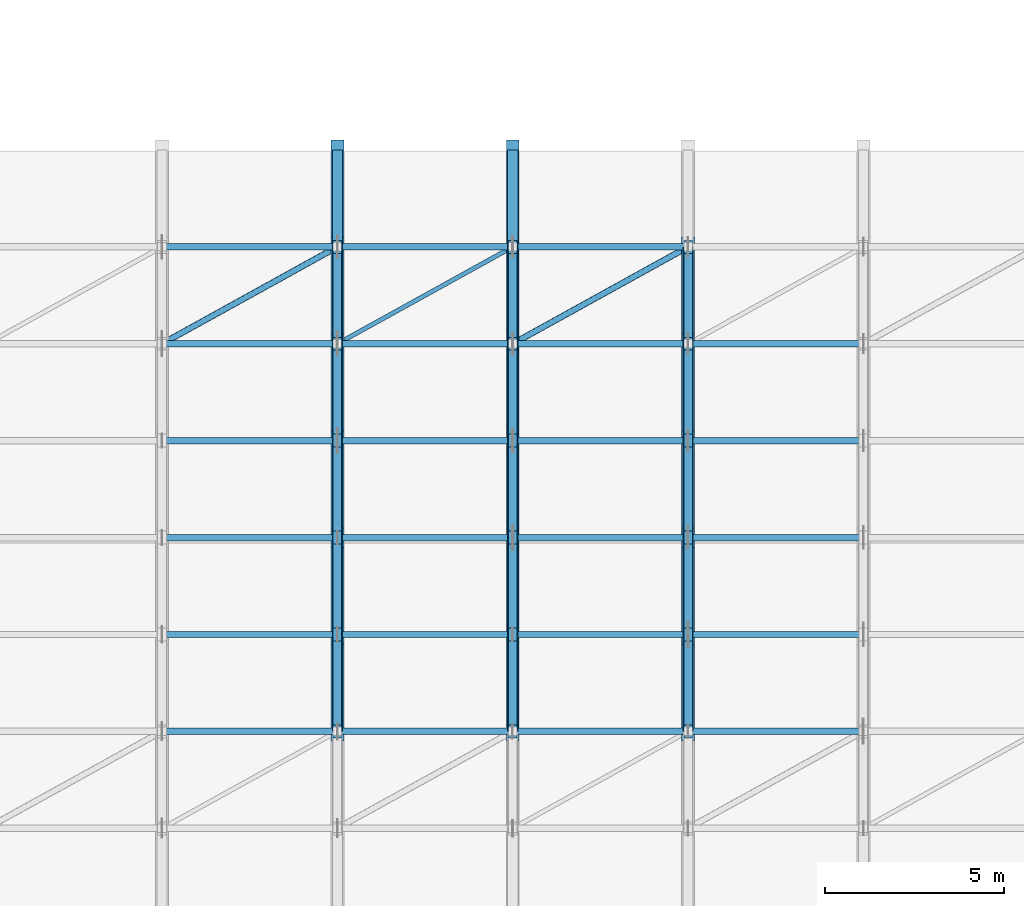
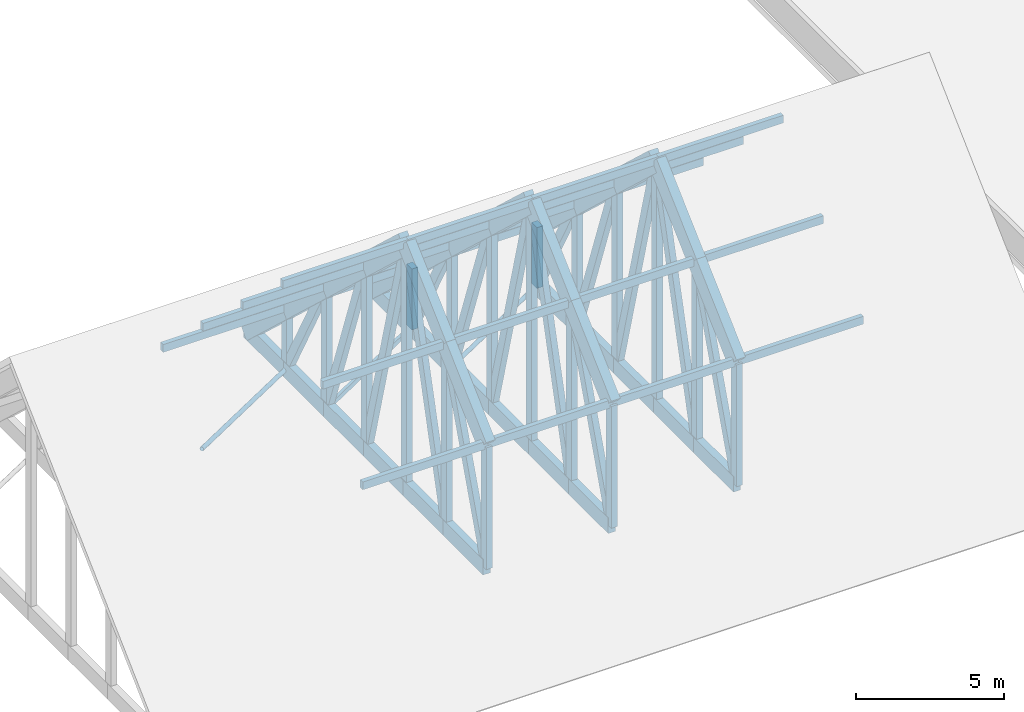
# One storey, part 24 of 79: 93 members.
"""IFC4 building model written with IfcOpenShell, lengths in metres."""

from ifc_helpers import new_model, si_unit, direction, frame, origin, origin_2d, place, context, subcontext, project, spatial, rectangle, hollow_rectangle, hollow_circle, extrude, material, material_profile, profile_set, type_object, element, save


model = new_model("IFC4")

# Units and contexts
model_context = context("Model", 3, precision=1e-05, world=origin(), true_north=direction((0.0, 1.0)))
body_context = subcontext(model_context, "Body", "Model", "MODEL_VIEW")
ifc_project = project(units=[si_unit("LENGTHUNIT", "METRE"), si_unit("AREAUNIT", "SQUARE_METRE"), si_unit("VOLUMEUNIT", "CUBIC_METRE"), si_unit("PLANEANGLEUNIT", "RADIAN"), si_unit("MASSUNIT", "GRAM", prefix="KILO")], contexts=[model_context])

# Site, building, storey
site_placement = place(None, origin())
site = spatial("IfcSite", under=ifc_project, at=site_placement, CompositionType="ELEMENT")
building_placement = place(site_placement, origin())
building = spatial("IfcBuilding", under=site, at=building_placement, Name="Nzembalo Square Collegiate School", CompositionType="ELEMENT")
storey_placement = place(building_placement, frame((0.0, 0.0, 9.52001953125)))
storey = spatial("IfcBuildingStorey", under=building, at=storey_placement, Name="L02", CompositionType="ELEMENT", Elevation=9.52001953125)

# Members
ifc_material_1 = material(Name="Steel S355", Category="steel")
ifc_material_profile_1 = material_profile(ifc_material_1, hollow_circle(Radius=0.083984375, WallThickness=0.008056640625, at=origin_2d()), Name="CHS 168x8")
ifc_profile_set_1 = profile_set([ifc_material_profile_1], Name="Steel S355")
member_type_1 = type_object("IfcMemberType", Name="BR01", PredefinedType="BRACE", material=ifc_profile_set_1)
for number, where, z_axis, x_axis, name in (
    (1, (101.871337890625, 99.0, -0.60009765625), (0.875246407849, 0.483677294843, 0.0), (-0.483677294843, 0.875246407849, 0.0), "Roof wind brace BR01 GT-AH1-04-6"),
    (2, (111.642822265625, 99.0, -0.60009765625), (0.875246407849, 0.483677294843, 0.0), (-0.483677294843, 0.875246407849, 0.0), "Roof wind brace BR01 GT-AH1-06-6"),
):
    element("IfcMember", number, at=place(storey_placement, frame(where, z_axis=z_axis, x_axis=x_axis)), inside=storey, type_object=member_type_1, Name=name, PredefinedType="BRACE", context=body_context, shape_type="SweptSolid", body=[
        extrude(hollow_circle(Radius=0.083984375, WallThickness=0.008056640625, at=origin_2d()), origin(), (0.0, 0.0, 1.0), 5.58203125),
    ])
ifc_material_2 = material(Name="Steel S355", Category="steel")
ifc_material_profile_2 = material_profile(ifc_material_2, hollow_rectangle(XDim=0.1201171875, YDim=0.199951171875, WallThickness=0.008056640625, at=origin_2d()), Name="RHS 200x120x8")
ifc_profile_set_2 = profile_set([ifc_material_profile_2], Name="Steel S355")
member_type_2 = type_object("IfcMemberType", Name="BR02", PredefinedType="BRACE", material=ifc_profile_set_2)
member_1_placement = place(storey_placement, frame((106.757080078125, 99.0, -0.60009765625), z_axis=(0.875246407849, 0.483677294843, 0.0), x_axis=(-0.483677294843, 0.875246407849, 0.0)))
element("IfcMember", 3, at=member_1_placement, inside=storey, type_object=member_type_2, Name="Roof wind brace BR02 GT-AH1-05-6", PredefinedType="BRACE", context=body_context, shape_type="SweptSolid", body=[
    extrude(hollow_rectangle(XDim=0.1201171875, YDim=0.199951171875, WallThickness=0.008056640625, at=origin_2d()), origin(), (0.0, 0.0, 1.0), 5.58203125),
])
ifc_material_3 = material(Name="Glulam GL28h", Category="wood")
ifc_material_profile_3 = material_profile(ifc_material_3, rectangle(XDim=0.179931640625, YDim=0.320068359375, at=origin_2d()), Name="GL28h 180x320")
ifc_profile_set_3 = profile_set([ifc_material_profile_3], Name="Glulam GL28h")
member_type_3 = type_object("IfcMemberType", Name="PR01", PredefinedType="PURLIN", material=ifc_profile_set_3)
for number, where, z_axis, x_axis, name in (
    (4, (101.871337890625, 88.199951171875, 4.47509765625), (1.0, 0.0, 0.0), (0.0, 1.0, 0.0), "Roof purlin PR01 GT-AH1-04-2"),
    (5, (101.871337890625, 90.89990234375, 6.989990234375), (1.0, 0.0, 0.0), (0.0, 1.0, 0.0), "Roof purlin PR01 GT-AH1-04-3"),
    (6, (101.871337890625, 93.60009765625, 9.5048828125), (1.0, 0.0, 0.0), (0.0, 1.0, 0.0), "Roof purlin PR01 GT-AH1-04-4"),
    (7, (101.871337890625, 96.300048828125, 6.989990234375), (1.0, 0.0, 0.0), (0.0, 1.0, 0.0), "Roof purlin PR01 GT-AH1-04-5"),
    (8, (101.871337890625, 99.0, 4.47509765625), (1.0, 0.0, 0.0), (0.0, 1.0, 0.0), "Roof purlin PR01 GT-AH1-04-6"),
    (9, (101.871337890625, 101.699951171875, 1.9599609375), (1.0, 0.0, 0.0), (0.0, 1.0, 0.0), "Roof purlin PR01 GT-AH1-04-7"),
    (10, (106.757080078125, 88.199951171875, 4.47509765625), (1.0, 0.0, 0.0), (0.0, 1.0, 0.0), "Roof purlin PR01 GT-AH1-05-2"),
    (11, (106.757080078125, 90.89990234375, 6.989990234375), (1.0, 0.0, 0.0), (0.0, 1.0, 0.0), "Roof purlin PR01 GT-AH1-05-3"),
    (12, (106.757080078125, 93.60009765625, 9.5048828125), (1.0, 0.0, 0.0), (0.0, 1.0, 0.0), "Roof purlin PR01 GT-AH1-05-4"),
    (13, (106.757080078125, 96.300048828125, 6.989990234375), (1.0, 0.0, 0.0), (0.0, 1.0, 0.0), "Roof purlin PR01 GT-AH1-05-5"),
    (14, (106.757080078125, 99.0, 4.47509765625), (1.0, 0.0, 0.0), (0.0, 1.0, 0.0), "Roof purlin PR01 GT-AH1-05-6"),
    (15, (106.757080078125, 101.699951171875, 1.9599609375), (1.0, 0.0, 0.0), (0.0, 1.0, 0.0), "Roof purlin PR01 GT-AH1-05-7"),
    (16, (111.642822265625, 88.199951171875, 4.47509765625), (1.0, 0.0, 0.0), (0.0, 1.0, 0.0), "Roof purlin PR01 GT-AH1-06-2"),
    (17, (111.642822265625, 90.89990234375, 6.989990234375), (1.0, 0.0, 0.0), (0.0, 1.0, 0.0), "Roof purlin PR01 GT-AH1-06-3"),
    (18, (111.642822265625, 93.60009765625, 9.5048828125), (1.0, 0.0, 0.0), (0.0, 1.0, 0.0), "Roof purlin PR01 GT-AH1-06-4"),
    (19, (111.642822265625, 96.300048828125, 6.989990234375), (1.0, 0.0, 0.0), (0.0, 1.0, 0.0), "Roof purlin PR01 GT-AH1-06-5"),
    (20, (111.642822265625, 99.0, 4.47509765625), (1.0, 0.0, 0.0), (0.0, 1.0, 0.0), "Roof purlin PR01 GT-AH1-06-6"),
    (21, (111.642822265625, 101.699951171875, 1.9599609375), (1.0, 0.0, 0.0), (0.0, 1.0, 0.0), "Roof purlin PR01 GT-AH1-06-7"),
    (22, (116.528564453125, 88.199951171875, 4.47509765625), (1.0, 0.0, 0.0), (0.0, 1.0, 0.0), "Roof purlin PR01 GT-AH1-07-2"),
    (23, (116.528564453125, 90.89990234375, 6.989990234375), (1.0, 0.0, 0.0), (0.0, 1.0, 0.0), "Roof purlin PR01 GT-AH1-07-3"),
    (24, (116.528564453125, 93.60009765625, 9.5048828125), (1.0, 0.0, 0.0), (0.0, 1.0, 0.0), "Roof purlin PR01 GT-AH1-07-4"),
    (25, (116.528564453125, 96.300048828125, 6.989990234375), (1.0, 0.0, 0.0), (0.0, 1.0, 0.0), "Roof purlin PR01 GT-AH1-07-5"),
    (26, (116.528564453125, 99.0, 4.47509765625), (1.0, 0.0, 0.0), (0.0, 1.0, 0.0), "Roof purlin PR01 GT-AH1-07-6"),
):
    element("IfcMember", number, at=place(storey_placement, frame(where, z_axis=z_axis, x_axis=x_axis)), inside=storey, type_object=member_type_3, Name=name, PredefinedType="PURLIN", context=body_context, shape_type="SweptSolid", body=[
        extrude(rectangle(XDim=0.179931640625, YDim=0.320068359375, at=origin_2d()), origin(), (0.0, 0.0, 1.0), 4.8857421875),
    ])
ifc_material_4 = material(Name="Glulam GL32h", Category="wood")
ifc_material_profile_4 = material_profile(ifc_material_4, rectangle(XDim=0.360107421875, YDim=0.800048828125, at=origin_2d()), Name="GL32h 360x800")
ifc_profile_set_4 = profile_set([ifc_material_profile_4], Name="Glulam GL32h")
member_type_4 = type_object("IfcMemberType", Name="TC01", PredefinedType="CHORD", material=ifc_profile_set_4)
for number, where, z_axis, x_axis, name in (
    (27, (106.757080078125, 88.199951171875, 4.429931640625), (0.0, 0.731706201412, 0.681620154349), (-1.0, 0.0, 0.0), "GT-AH1-04 top chord 3"),
    (28, (106.757080078125, 90.89990234375, 6.945068359375), (0.0, 0.731769937077, 0.681551728918), (-1.0, 0.0, 0.0), "GT-AH1-04 top chord 4"),
):
    element("IfcMember", number, at=place(storey_placement, frame(where, z_axis=z_axis, x_axis=x_axis)), inside=storey, type_object=member_type_4, Name=name, PredefinedType="CHORD", context=body_context, shape_type="SweptSolid", body=[
        extrude(rectangle(XDim=0.360107421875, YDim=0.800048828125, at=origin_2d()), origin(), (0.0, 0.0, 1.0), 3.68994140625),
    ])
member_2_placement = place(storey_placement, frame((106.757080078125, 93.60009765625, 9.4599609375), z_axis=(0.0, 0.731739200986, -0.681584728218), x_axis=(-1.0, 0.0, 0.0)))
element("IfcMember", 29, at=member_2_placement, inside=storey, type_object=member_type_4, Name="GT-AH1-04 top chord 5", PredefinedType="CHORD", context=body_context, shape_type="SweptSolid", body=[
    extrude(rectangle(XDim=0.360107421875, YDim=0.800048828125, at=origin_2d()), origin(), (0.0, 0.0, 1.0), 3.689697265625),
])
member_3_placement = place(storey_placement, frame((106.757080078125, 96.300048828125, 6.945068359375), z_axis=(0.0, 0.731706201412, -0.681620154349), x_axis=(-1.0, 0.0, 0.0)))
element("IfcMember", 30, at=member_3_placement, inside=storey, type_object=member_type_4, Name="GT-AH1-04 top chord 6", PredefinedType="CHORD", context=body_context, shape_type="SweptSolid", body=[
    extrude(rectangle(XDim=0.360107421875, YDim=0.800048828125, at=origin_2d()), origin(), (0.0, 0.0, 1.0), 3.68994140625),
])
member_4_placement = place(storey_placement, frame((106.757080078125, 99.0, 4.429931640625), z_axis=(0.0, 0.731739200986, -0.681584728218), x_axis=(-1.0, 0.0, 0.0)))
element("IfcMember", 31, at=member_4_placement, inside=storey, type_object=member_type_4, Name="GT-AH1-04 top chord 7", PredefinedType="CHORD", context=body_context, shape_type="SweptSolid", body=[
    extrude(rectangle(XDim=0.360107421875, YDim=0.800048828125, at=origin_2d()), origin(), (0.0, 0.0, 1.0), 3.689697265625),
])
for number, where, z_axis, x_axis, name in (
    (32, (106.757080078125, 101.699951171875, 1.9150390625), (0.0, 0.731706201412, -0.681620154349), (-1.0, 0.0, 0.0), "GT-AH1-04 top chord 8"),
    (33, (111.642822265625, 88.199951171875, 4.429931640625), (0.0, 0.731706201412, 0.681620154349), (-1.0, 0.0, 0.0), "GT-AH1-05 top chord 3"),
    (34, (111.642822265625, 90.89990234375, 6.945068359375), (0.0, 0.731769937077, 0.681551728918), (-1.0, 0.0, 0.0), "GT-AH1-05 top chord 4"),
):
    element("IfcMember", number, at=place(storey_placement, frame(where, z_axis=z_axis, x_axis=x_axis)), inside=storey, type_object=member_type_4, Name=name, PredefinedType="CHORD", context=body_context, shape_type="SweptSolid", body=[
        extrude(rectangle(XDim=0.360107421875, YDim=0.800048828125, at=origin_2d()), origin(), (0.0, 0.0, 1.0), 3.68994140625),
    ])
member_5_placement = place(storey_placement, frame((111.642822265625, 93.60009765625, 9.4599609375), z_axis=(0.0, 0.731739200986, -0.681584728218), x_axis=(-1.0, 0.0, 0.0)))
element("IfcMember", 35, at=member_5_placement, inside=storey, type_object=member_type_4, Name="GT-AH1-05 top chord 5", PredefinedType="CHORD", context=body_context, shape_type="SweptSolid", body=[
    extrude(rectangle(XDim=0.360107421875, YDim=0.800048828125, at=origin_2d()), origin(), (0.0, 0.0, 1.0), 3.689697265625),
])
member_6_placement = place(storey_placement, frame((111.642822265625, 96.300048828125, 6.945068359375), z_axis=(0.0, 0.731706201412, -0.681620154349), x_axis=(-1.0, 0.0, 0.0)))
element("IfcMember", 36, at=member_6_placement, inside=storey, type_object=member_type_4, Name="GT-AH1-05 top chord 6", PredefinedType="CHORD", context=body_context, shape_type="SweptSolid", body=[
    extrude(rectangle(XDim=0.360107421875, YDim=0.800048828125, at=origin_2d()), origin(), (0.0, 0.0, 1.0), 3.68994140625),
])
member_7_placement = place(storey_placement, frame((111.642822265625, 99.0, 4.429931640625), z_axis=(0.0, 0.731739200986, -0.681584728218), x_axis=(-1.0, 0.0, 0.0)))
element("IfcMember", 37, at=member_7_placement, inside=storey, type_object=member_type_4, Name="GT-AH1-05 top chord 7", PredefinedType="CHORD", context=body_context, shape_type="SweptSolid", body=[
    extrude(rectangle(XDim=0.360107421875, YDim=0.800048828125, at=origin_2d()), origin(), (0.0, 0.0, 1.0), 3.689697265625),
])
for number, where, z_axis, x_axis, name in (
    (38, (111.642822265625, 101.699951171875, 1.9150390625), (0.0, 0.731706201412, -0.681620154349), (-1.0, 0.0, 0.0), "GT-AH1-05 top chord 8"),
    (39, (116.528564453125, 88.199951171875, 4.429931640625), (0.0, 0.731706201412, 0.681620154349), (-1.0, 0.0, 0.0), "GT-AH1-06 top chord 3"),
    (40, (116.528564453125, 90.89990234375, 6.945068359375), (0.0, 0.731769937077, 0.681551728918), (-1.0, 0.0, 0.0), "GT-AH1-06 top chord 4"),
):
    element("IfcMember", number, at=place(storey_placement, frame(where, z_axis=z_axis, x_axis=x_axis)), inside=storey, type_object=member_type_4, Name=name, PredefinedType="CHORD", context=body_context, shape_type="SweptSolid", body=[
        extrude(rectangle(XDim=0.360107421875, YDim=0.800048828125, at=origin_2d()), origin(), (0.0, 0.0, 1.0), 3.68994140625),
    ])
member_8_placement = place(storey_placement, frame((116.528564453125, 93.60009765625, 9.4599609375), z_axis=(0.0, 0.731739200986, -0.681584728218), x_axis=(-1.0, 0.0, 0.0)))
element("IfcMember", 41, at=member_8_placement, inside=storey, type_object=member_type_4, Name="GT-AH1-06 top chord 5", PredefinedType="CHORD", context=body_context, shape_type="SweptSolid", body=[
    extrude(rectangle(XDim=0.360107421875, YDim=0.800048828125, at=origin_2d()), origin(), (0.0, 0.0, 1.0), 3.689697265625),
])
member_9_placement = place(storey_placement, frame((116.528564453125, 96.300048828125, 6.945068359375), z_axis=(0.0, 0.731706201412, -0.681620154349), x_axis=(-1.0, 0.0, 0.0)))
element("IfcMember", 42, at=member_9_placement, inside=storey, type_object=member_type_4, Name="GT-AH1-06 top chord 6", PredefinedType="CHORD", context=body_context, shape_type="SweptSolid", body=[
    extrude(rectangle(XDim=0.360107421875, YDim=0.800048828125, at=origin_2d()), origin(), (0.0, 0.0, 1.0), 3.68994140625),
])
member_10_placement = place(storey_placement, frame((116.528564453125, 99.0, 4.429931640625), z_axis=(0.0, 0.731739200986, -0.681584728218), x_axis=(-1.0, 0.0, 0.0)))
element("IfcMember", 43, at=member_10_placement, inside=storey, type_object=member_type_4, Name="GT-AH1-06 top chord 7", PredefinedType="CHORD", context=body_context, shape_type="SweptSolid", body=[
    extrude(rectangle(XDim=0.360107421875, YDim=0.800048828125, at=origin_2d()), origin(), (0.0, 0.0, 1.0), 3.689697265625),
])
ifc_material_5 = material(Name="Glulam GL32h", Category="wood")
ifc_material_profile_5 = material_profile(ifc_material_5, rectangle(XDim=0.280029296875, YDim=0.639892578125, at=origin_2d()), Name="GL32h 280x640")
ifc_profile_set_5 = profile_set([ifc_material_profile_5], Name="Glulam GL32h")
member_type_5 = type_object("IfcMemberType", Name="TC02", PredefinedType="CHORD", material=ifc_profile_set_5)
member_11_placement = place(storey_placement, frame((106.757080078125, 88.199951171875, -0.60009765625), z_axis=(0.0, 1.0, 0.0), x_axis=(-1.0, 0.0, 0.0)))
element("IfcMember", 44, at=member_11_placement, inside=storey, type_object=member_type_5, Name="GT-AH1-04 bottom chord 3", PredefinedType="CHORD", context=body_context, shape_type="SweptSolid", body=[
    extrude(rectangle(XDim=0.280029296875, YDim=0.639892578125, at=origin_2d()), origin(), (0.0, 0.0, 1.0), 2.699951171875),
])
member_12_placement = place(storey_placement, frame((106.757080078125, 90.89990234375, -0.60009765625), z_axis=(0.0, 1.0, 0.0), x_axis=(-1.0, 0.0, 0.0)))
element("IfcMember", 45, at=member_12_placement, inside=storey, type_object=member_type_5, Name="GT-AH1-04 bottom chord 4", PredefinedType="CHORD", context=body_context, shape_type="SweptSolid", body=[
    extrude(rectangle(XDim=0.280029296875, YDim=0.639892578125, at=origin_2d()), origin(), (0.0, 0.0, 1.0), 2.7001953125),
])
for number, where, z_axis, x_axis, name in (
    (46, (106.757080078125, 93.60009765625, -0.60009765625), (0.0, 1.0, 0.0), (-1.0, 0.0, 0.0), "GT-AH1-04 bottom chord 5"),
    (47, (106.757080078125, 96.300048828125, -0.60009765625), (0.0, 1.0, 0.0), (-1.0, 0.0, 0.0), "GT-AH1-04 bottom chord 6"),
    (48, (106.757080078125, 99.0, -0.60009765625), (0.0, 1.0, 0.0), (-1.0, 0.0, 0.0), "GT-AH1-04 bottom chord 7"),
    (49, (106.757080078125, 101.699951171875, -0.60009765625), (0.0, 1.0, 0.0), (-1.0, 0.0, 0.0), "GT-AH1-04 bottom chord 8"),
    (50, (111.642822265625, 88.199951171875, -0.60009765625), (0.0, 1.0, 0.0), (-1.0, 0.0, 0.0), "GT-AH1-05 bottom chord 3"),
):
    element("IfcMember", number, at=place(storey_placement, frame(where, z_axis=z_axis, x_axis=x_axis)), inside=storey, type_object=member_type_5, Name=name, PredefinedType="CHORD", context=body_context, shape_type="SweptSolid", body=[
        extrude(rectangle(XDim=0.280029296875, YDim=0.639892578125, at=origin_2d()), origin(), (0.0, 0.0, 1.0), 2.699951171875),
    ])
member_13_placement = place(storey_placement, frame((111.642822265625, 90.89990234375, -0.60009765625), z_axis=(0.0, 1.0, 0.0), x_axis=(-1.0, 0.0, 0.0)))
element("IfcMember", 51, at=member_13_placement, inside=storey, type_object=member_type_5, Name="GT-AH1-05 bottom chord 4", PredefinedType="CHORD", context=body_context, shape_type="SweptSolid", body=[
    extrude(rectangle(XDim=0.280029296875, YDim=0.639892578125, at=origin_2d()), origin(), (0.0, 0.0, 1.0), 2.7001953125),
])
for number, where, z_axis, x_axis, name in (
    (52, (111.642822265625, 93.60009765625, -0.60009765625), (0.0, 1.0, 0.0), (-1.0, 0.0, 0.0), "GT-AH1-05 bottom chord 5"),
    (53, (111.642822265625, 96.300048828125, -0.60009765625), (0.0, 1.0, 0.0), (-1.0, 0.0, 0.0), "GT-AH1-05 bottom chord 6"),
    (54, (111.642822265625, 99.0, -0.60009765625), (0.0, 1.0, 0.0), (-1.0, 0.0, 0.0), "GT-AH1-05 bottom chord 7"),
    (55, (111.642822265625, 101.699951171875, -0.60009765625), (0.0, 1.0, 0.0), (-1.0, 0.0, 0.0), "GT-AH1-05 bottom chord 8"),
    (56, (116.528564453125, 88.199951171875, -0.60009765625), (0.0, 1.0, 0.0), (-1.0, 0.0, 0.0), "GT-AH1-06 bottom chord 3"),
):
    element("IfcMember", number, at=place(storey_placement, frame(where, z_axis=z_axis, x_axis=x_axis)), inside=storey, type_object=member_type_5, Name=name, PredefinedType="CHORD", context=body_context, shape_type="SweptSolid", body=[
        extrude(rectangle(XDim=0.280029296875, YDim=0.639892578125, at=origin_2d()), origin(), (0.0, 0.0, 1.0), 2.699951171875),
    ])
member_14_placement = place(storey_placement, frame((116.528564453125, 90.89990234375, -0.60009765625), z_axis=(0.0, 1.0, 0.0), x_axis=(-1.0, 0.0, 0.0)))
element("IfcMember", 57, at=member_14_placement, inside=storey, type_object=member_type_5, Name="GT-AH1-06 bottom chord 4", PredefinedType="CHORD", context=body_context, shape_type="SweptSolid", body=[
    extrude(rectangle(XDim=0.280029296875, YDim=0.639892578125, at=origin_2d()), origin(), (0.0, 0.0, 1.0), 2.7001953125),
])
for number, where, z_axis, x_axis, name in (
    (58, (116.528564453125, 93.60009765625, -0.60009765625), (0.0, 1.0, 0.0), (-1.0, 0.0, 0.0), "GT-AH1-06 bottom chord 5"),
    (59, (116.528564453125, 96.300048828125, -0.60009765625), (0.0, 1.0, 0.0), (-1.0, 0.0, 0.0), "GT-AH1-06 bottom chord 6"),
    (60, (116.528564453125, 99.0, -0.60009765625), (0.0, 1.0, 0.0), (-1.0, 0.0, 0.0), "GT-AH1-06 bottom chord 7"),
):
    element("IfcMember", number, at=place(storey_placement, frame(where, z_axis=z_axis, x_axis=x_axis)), inside=storey, type_object=member_type_5, Name=name, PredefinedType="CHORD", context=body_context, shape_type="SweptSolid", body=[
        extrude(rectangle(XDim=0.280029296875, YDim=0.639892578125, at=origin_2d()), origin(), (0.0, 0.0, 1.0), 2.699951171875),
    ])
ifc_material_6 = material(Name="Glulam GL32h", Category="wood")
ifc_material_profile_6 = material_profile(ifc_material_6, rectangle(XDim=0.239990234375, YDim=0.360107421875, at=origin_2d()), Name="GL32h 240x360")
ifc_profile_set_6 = profile_set([ifc_material_profile_6], Name="Glulam GL32h")
member_type_6 = type_object("IfcMemberType", Name="TD02", PredefinedType="BRACE", material=ifc_profile_set_6)
member_15_placement = place(storey_placement, frame((106.757080078125, 88.199951171875, -0.60009765625), z_axis=(0.0, 0.336917244062, 0.941534264195), x_axis=(-1.0, 0.0, 0.0)))
element("IfcMember", 61, at=member_15_placement, inside=storey, type_object=member_type_6, Name="GT-AH1-04 web diagonal 2", PredefinedType="BRACE", context=body_context, shape_type="SweptSolid", body=[
    extrude(rectangle(XDim=0.239990234375, YDim=0.360107421875, at=origin_2d()), origin(), (0.0, 0.0, 1.0), 8.013671875),
])
for number, where, z_axis, x_axis, name in (
    (62, (106.757080078125, 90.89990234375, -0.60009765625), (0.0, 0.259232022659, 0.965815074654), (-1.0, 0.0, 0.0), "GT-AH1-04 web diagonal 3"),
    (63, (106.757080078125, 96.300048828125, -0.60009765625), (0.0, -0.259210158869, 0.965820942794), (1.0, 0.0, 0.0), "GT-AH1-04 web diagonal 4"),
):
    element("IfcMember", number, at=place(storey_placement, frame(where, z_axis=z_axis, x_axis=x_axis)), inside=storey, type_object=member_type_6, Name=name, PredefinedType="BRACE", context=body_context, shape_type="SweptSolid", body=[
        extrude(rectangle(XDim=0.239990234375, YDim=0.360107421875, at=origin_2d()), origin(), (0.0, 0.0, 1.0), 10.416015625),
    ])
member_16_placement = place(storey_placement, frame((106.757080078125, 99.0, -0.60009765625), z_axis=(0.0, -0.336917244062, 0.941534264195), x_axis=(1.0, 0.0, 0.0)))
element("IfcMember", 64, at=member_16_placement, inside=storey, type_object=member_type_6, Name="GT-AH1-04 web diagonal 5", PredefinedType="BRACE", context=body_context, shape_type="SweptSolid", body=[
    extrude(rectangle(XDim=0.239990234375, YDim=0.360107421875, at=origin_2d()), origin(), (0.0, 0.0, 1.0), 8.013671875),
])
member_17_placement = place(storey_placement, frame((106.757080078125, 101.699951171875, -0.60009765625), z_axis=(0.0, -0.47294161091, 0.881093770646), x_axis=(1.0, 0.0, 0.0)))
element("IfcMember", 65, at=member_17_placement, inside=storey, type_object=member_type_6, Name="GT-AH1-04 web diagonal 6", PredefinedType="BRACE", context=body_context, shape_type="SweptSolid", body=[
    extrude(rectangle(XDim=0.239990234375, YDim=0.360107421875, at=origin_2d()), origin(), (0.0, 0.0, 1.0), 5.708740234375),
])
member_18_placement = place(storey_placement, frame((111.642822265625, 88.199951171875, -0.60009765625), z_axis=(0.0, 0.336917244062, 0.941534264195), x_axis=(-1.0, 0.0, 0.0)))
element("IfcMember", 66, at=member_18_placement, inside=storey, type_object=member_type_6, Name="GT-AH1-05 web diagonal 2", PredefinedType="BRACE", context=body_context, shape_type="SweptSolid", body=[
    extrude(rectangle(XDim=0.239990234375, YDim=0.360107421875, at=origin_2d()), origin(), (0.0, 0.0, 1.0), 8.013671875),
])
for number, where, z_axis, x_axis, name in (
    (67, (111.642822265625, 90.89990234375, -0.60009765625), (0.0, 0.259232022659, 0.965815074654), (-1.0, 0.0, 0.0), "GT-AH1-05 web diagonal 3"),
    (68, (111.642822265625, 96.300048828125, -0.60009765625), (0.0, -0.259210158869, 0.965820942794), (1.0, 0.0, 0.0), "GT-AH1-05 web diagonal 4"),
):
    element("IfcMember", number, at=place(storey_placement, frame(where, z_axis=z_axis, x_axis=x_axis)), inside=storey, type_object=member_type_6, Name=name, PredefinedType="BRACE", context=body_context, shape_type="SweptSolid", body=[
        extrude(rectangle(XDim=0.239990234375, YDim=0.360107421875, at=origin_2d()), origin(), (0.0, 0.0, 1.0), 10.416015625),
    ])
member_19_placement = place(storey_placement, frame((111.642822265625, 99.0, -0.60009765625), z_axis=(0.0, -0.336917244062, 0.941534264195), x_axis=(1.0, 0.0, 0.0)))
element("IfcMember", 69, at=member_19_placement, inside=storey, type_object=member_type_6, Name="GT-AH1-05 web diagonal 5", PredefinedType="BRACE", context=body_context, shape_type="SweptSolid", body=[
    extrude(rectangle(XDim=0.239990234375, YDim=0.360107421875, at=origin_2d()), origin(), (0.0, 0.0, 1.0), 8.013671875),
])
member_20_placement = place(storey_placement, frame((111.642822265625, 101.699951171875, -0.60009765625), z_axis=(0.0, -0.47294161091, 0.881093770646), x_axis=(1.0, 0.0, 0.0)))
element("IfcMember", 70, at=member_20_placement, inside=storey, type_object=member_type_6, Name="GT-AH1-05 web diagonal 6", PredefinedType="BRACE", context=body_context, shape_type="SweptSolid", body=[
    extrude(rectangle(XDim=0.239990234375, YDim=0.360107421875, at=origin_2d()), origin(), (0.0, 0.0, 1.0), 5.708740234375),
])
member_21_placement = place(storey_placement, frame((116.528564453125, 88.199951171875, -0.60009765625), z_axis=(0.0, 0.336917244062, 0.941534264195), x_axis=(-1.0, 0.0, 0.0)))
element("IfcMember", 71, at=member_21_placement, inside=storey, type_object=member_type_6, Name="GT-AH1-06 web diagonal 2", PredefinedType="BRACE", context=body_context, shape_type="SweptSolid", body=[
    extrude(rectangle(XDim=0.239990234375, YDim=0.360107421875, at=origin_2d()), origin(), (0.0, 0.0, 1.0), 8.013671875),
])
for number, where, z_axis, x_axis, name in (
    (72, (116.528564453125, 90.89990234375, -0.60009765625), (0.0, 0.259232022659, 0.965815074654), (-1.0, 0.0, 0.0), "GT-AH1-06 web diagonal 3"),
    (73, (116.528564453125, 96.300048828125, -0.60009765625), (0.0, -0.259210158869, 0.965820942794), (1.0, 0.0, 0.0), "GT-AH1-06 web diagonal 4"),
):
    element("IfcMember", number, at=place(storey_placement, frame(where, z_axis=z_axis, x_axis=x_axis)), inside=storey, type_object=member_type_6, Name=name, PredefinedType="BRACE", context=body_context, shape_type="SweptSolid", body=[
        extrude(rectangle(XDim=0.239990234375, YDim=0.360107421875, at=origin_2d()), origin(), (0.0, 0.0, 1.0), 10.416015625),
    ])
member_22_placement = place(storey_placement, frame((116.528564453125, 99.0, -0.60009765625), z_axis=(0.0, -0.336917244062, 0.941534264195), x_axis=(1.0, 0.0, 0.0)))
element("IfcMember", 74, at=member_22_placement, inside=storey, type_object=member_type_6, Name="GT-AH1-06 web diagonal 5", PredefinedType="BRACE", context=body_context, shape_type="SweptSolid", body=[
    extrude(rectangle(XDim=0.239990234375, YDim=0.360107421875, at=origin_2d()), origin(), (0.0, 0.0, 1.0), 8.013671875),
])
member_23_placement = place(storey_placement, frame((116.528564453125, 101.699951171875, -0.60009765625), z_axis=(0.0, -0.47294161091, 0.881093770646), x_axis=(1.0, 0.0, 0.0)))
element("IfcMember", 75, at=member_23_placement, inside=storey, type_object=member_type_6, Name="GT-AH1-06 web diagonal 6", PredefinedType="BRACE", context=body_context, shape_type="SweptSolid", body=[
    extrude(rectangle(XDim=0.239990234375, YDim=0.360107421875, at=origin_2d()), origin(), (0.0, 0.0, 1.0), 5.708740234375),
])
ifc_material_7 = material(Name="Glulam GL32h", Category="wood")
ifc_material_profile_7 = material_profile(ifc_material_7, rectangle(XDim=0.239990234375, YDim=0.360107421875, at=origin_2d()), Name="GL32h 240x360")
ifc_profile_set_7 = profile_set([ifc_material_profile_7], Name="Glulam GL32h")
member_type_7 = type_object("IfcMemberType", Name="TP01", PredefinedType="POST", material=ifc_profile_set_7)
member_24_placement = place(storey_placement, frame((106.757080078125, 88.199951171875, -0.60009765625), z_axis=(0.0, 0.0, 1.0), x_axis=(1.0, 0.0, 0.0)))
element("IfcMember", 76, at=member_24_placement, inside=storey, type_object=member_type_7, Name="GT-AH1-04 vertical post 2", PredefinedType="POST", context=body_context, shape_type="SweptSolid", body=[
    extrude(rectangle(XDim=0.239990234375, YDim=0.360107421875, at=origin_2d()), origin(), (0.0, 0.0, 1.0), 5.030029296875),
])
member_25_placement = place(storey_placement, frame((106.757080078125, 90.89990234375, -0.60009765625), z_axis=(0.0, 0.0, 1.0), x_axis=(1.0, 0.0, 0.0)))
element("IfcMember", 77, at=member_25_placement, inside=storey, type_object=member_type_7, Name="GT-AH1-04 vertical post 3", PredefinedType="POST", context=body_context, shape_type="SweptSolid", body=[
    extrude(rectangle(XDim=0.239990234375, YDim=0.360107421875, at=origin_2d()), origin(), (0.0, 0.0, 1.0), 7.545166015625),
])
member_26_placement = place(storey_placement, frame((106.757080078125, 93.60009765625, -0.60009765625), z_axis=(0.0, 0.0, 1.0), x_axis=(1.0, 0.0, 0.0)))
element("IfcMember", 78, at=member_26_placement, inside=storey, type_object=member_type_7, Name="GT-AH1-04 vertical post 4", PredefinedType="POST", context=body_context, shape_type="SweptSolid", body=[
    extrude(rectangle(XDim=0.239990234375, YDim=0.360107421875, at=origin_2d()), origin(), (0.0, 0.0, 1.0), 10.06005859375),
])
member_27_placement = place(storey_placement, frame((106.757080078125, 96.300048828125, -0.60009765625), z_axis=(0.0, 0.0, 1.0), x_axis=(1.0, 0.0, 0.0)))
element("IfcMember", 79, at=member_27_placement, inside=storey, type_object=member_type_7, Name="GT-AH1-04 vertical post 5", PredefinedType="POST", context=body_context, shape_type="SweptSolid", body=[
    extrude(rectangle(XDim=0.239990234375, YDim=0.360107421875, at=origin_2d()), origin(), (0.0, 0.0, 1.0), 7.545166015625),
])
member_28_placement = place(storey_placement, frame((106.757080078125, 99.0, -0.60009765625), z_axis=(0.0, 0.0, 1.0), x_axis=(1.0, 0.0, 0.0)))
element("IfcMember", 80, at=member_28_placement, inside=storey, type_object=member_type_7, Name="GT-AH1-04 vertical post 6", PredefinedType="POST", context=body_context, shape_type="SweptSolid", body=[
    extrude(rectangle(XDim=0.239990234375, YDim=0.360107421875, at=origin_2d()), origin(), (0.0, 0.0, 1.0), 5.030029296875),
])
member_29_placement = place(storey_placement, frame((106.757080078125, 101.699951171875, -0.60009765625), z_axis=(0.0, 0.0, 1.0), x_axis=(1.0, 0.0, 0.0)))
element("IfcMember", 81, at=member_29_placement, inside=storey, type_object=member_type_7, Name="GT-AH1-04 vertical post 7", PredefinedType="POST", context=body_context, shape_type="SweptSolid", body=[
    extrude(rectangle(XDim=0.239990234375, YDim=0.360107421875, at=origin_2d()), origin(), (0.0, 0.0, 1.0), 2.51513671875),
])
member_30_placement = place(storey_placement, frame((111.642822265625, 88.199951171875, -0.60009765625), z_axis=(0.0, 0.0, 1.0), x_axis=(1.0, 0.0, 0.0)))
element("IfcMember", 82, at=member_30_placement, inside=storey, type_object=member_type_7, Name="GT-AH1-05 vertical post 2", PredefinedType="POST", context=body_context, shape_type="SweptSolid", body=[
    extrude(rectangle(XDim=0.239990234375, YDim=0.360107421875, at=origin_2d()), origin(), (0.0, 0.0, 1.0), 5.030029296875),
])
member_31_placement = place(storey_placement, frame((111.642822265625, 90.89990234375, -0.60009765625), z_axis=(0.0, 0.0, 1.0), x_axis=(1.0, 0.0, 0.0)))
element("IfcMember", 83, at=member_31_placement, inside=storey, type_object=member_type_7, Name="GT-AH1-05 vertical post 3", PredefinedType="POST", context=body_context, shape_type="SweptSolid", body=[
    extrude(rectangle(XDim=0.239990234375, YDim=0.360107421875, at=origin_2d()), origin(), (0.0, 0.0, 1.0), 7.545166015625),
])
member_32_placement = place(storey_placement, frame((111.642822265625, 93.60009765625, -0.60009765625), z_axis=(0.0, 0.0, 1.0), x_axis=(1.0, 0.0, 0.0)))
element("IfcMember", 84, at=member_32_placement, inside=storey, type_object=member_type_7, Name="GT-AH1-05 vertical post 4", PredefinedType="POST", context=body_context, shape_type="SweptSolid", body=[
    extrude(rectangle(XDim=0.239990234375, YDim=0.360107421875, at=origin_2d()), origin(), (0.0, 0.0, 1.0), 10.06005859375),
])
member_33_placement = place(storey_placement, frame((111.642822265625, 96.300048828125, -0.60009765625), z_axis=(0.0, 0.0, 1.0), x_axis=(1.0, 0.0, 0.0)))
element("IfcMember", 85, at=member_33_placement, inside=storey, type_object=member_type_7, Name="GT-AH1-05 vertical post 5", PredefinedType="POST", context=body_context, shape_type="SweptSolid", body=[
    extrude(rectangle(XDim=0.239990234375, YDim=0.360107421875, at=origin_2d()), origin(), (0.0, 0.0, 1.0), 7.545166015625),
])
member_34_placement = place(storey_placement, frame((111.642822265625, 99.0, -0.60009765625), z_axis=(0.0, 0.0, 1.0), x_axis=(1.0, 0.0, 0.0)))
element("IfcMember", 86, at=member_34_placement, inside=storey, type_object=member_type_7, Name="GT-AH1-05 vertical post 6", PredefinedType="POST", context=body_context, shape_type="SweptSolid", body=[
    extrude(rectangle(XDim=0.239990234375, YDim=0.360107421875, at=origin_2d()), origin(), (0.0, 0.0, 1.0), 5.030029296875),
])
member_35_placement = place(storey_placement, frame((111.642822265625, 101.699951171875, -0.60009765625), z_axis=(0.0, 0.0, 1.0), x_axis=(1.0, 0.0, 0.0)))
element("IfcMember", 87, at=member_35_placement, inside=storey, type_object=member_type_7, Name="GT-AH1-05 vertical post 7", PredefinedType="POST", context=body_context, shape_type="SweptSolid", body=[
    extrude(rectangle(XDim=0.239990234375, YDim=0.360107421875, at=origin_2d()), origin(), (0.0, 0.0, 1.0), 2.51513671875),
])
member_36_placement = place(storey_placement, frame((116.528564453125, 88.199951171875, -0.60009765625), z_axis=(0.0, 0.0, 1.0), x_axis=(1.0, 0.0, 0.0)))
element("IfcMember", 88, at=member_36_placement, inside=storey, type_object=member_type_7, Name="GT-AH1-06 vertical post 2", PredefinedType="POST", context=body_context, shape_type="SweptSolid", body=[
    extrude(rectangle(XDim=0.239990234375, YDim=0.360107421875, at=origin_2d()), origin(), (0.0, 0.0, 1.0), 5.030029296875),
])
member_37_placement = place(storey_placement, frame((116.528564453125, 90.89990234375, -0.60009765625), z_axis=(0.0, 0.0, 1.0), x_axis=(1.0, 0.0, 0.0)))
element("IfcMember", 89, at=member_37_placement, inside=storey, type_object=member_type_7, Name="GT-AH1-06 vertical post 3", PredefinedType="POST", context=body_context, shape_type="SweptSolid", body=[
    extrude(rectangle(XDim=0.239990234375, YDim=0.360107421875, at=origin_2d()), origin(), (0.0, 0.0, 1.0), 7.545166015625),
])
member_38_placement = place(storey_placement, frame((116.528564453125, 93.60009765625, -0.60009765625), z_axis=(0.0, 0.0, 1.0), x_axis=(1.0, 0.0, 0.0)))
element("IfcMember", 90, at=member_38_placement, inside=storey, type_object=member_type_7, Name="GT-AH1-06 vertical post 4", PredefinedType="POST", context=body_context, shape_type="SweptSolid", body=[
    extrude(rectangle(XDim=0.239990234375, YDim=0.360107421875, at=origin_2d()), origin(), (0.0, 0.0, 1.0), 10.06005859375),
])
member_39_placement = place(storey_placement, frame((116.528564453125, 96.300048828125, -0.60009765625), z_axis=(0.0, 0.0, 1.0), x_axis=(1.0, 0.0, 0.0)))
element("IfcMember", 91, at=member_39_placement, inside=storey, type_object=member_type_7, Name="GT-AH1-06 vertical post 5", PredefinedType="POST", context=body_context, shape_type="SweptSolid", body=[
    extrude(rectangle(XDim=0.239990234375, YDim=0.360107421875, at=origin_2d()), origin(), (0.0, 0.0, 1.0), 7.545166015625),
])
member_40_placement = place(storey_placement, frame((116.528564453125, 99.0, -0.60009765625), z_axis=(0.0, 0.0, 1.0), x_axis=(1.0, 0.0, 0.0)))
element("IfcMember", 92, at=member_40_placement, inside=storey, type_object=member_type_7, Name="GT-AH1-06 vertical post 6", PredefinedType="POST", context=body_context, shape_type="SweptSolid", body=[
    extrude(rectangle(XDim=0.239990234375, YDim=0.360107421875, at=origin_2d()), origin(), (0.0, 0.0, 1.0), 5.030029296875),
])
member_41_placement = place(storey_placement, frame((116.528564453125, 101.699951171875, -0.60009765625), z_axis=(0.0, 0.0, 1.0), x_axis=(1.0, 0.0, 0.0)))
element("IfcMember", 93, at=member_41_placement, inside=storey, type_object=member_type_7, Name="GT-AH1-06 vertical post 7", PredefinedType="POST", context=body_context, shape_type="SweptSolid", body=[
    extrude(rectangle(XDim=0.239990234375, YDim=0.360107421875, at=origin_2d()), origin(), (0.0, 0.0, 1.0), 2.51513671875),
])

save(model, "model.ifc")
